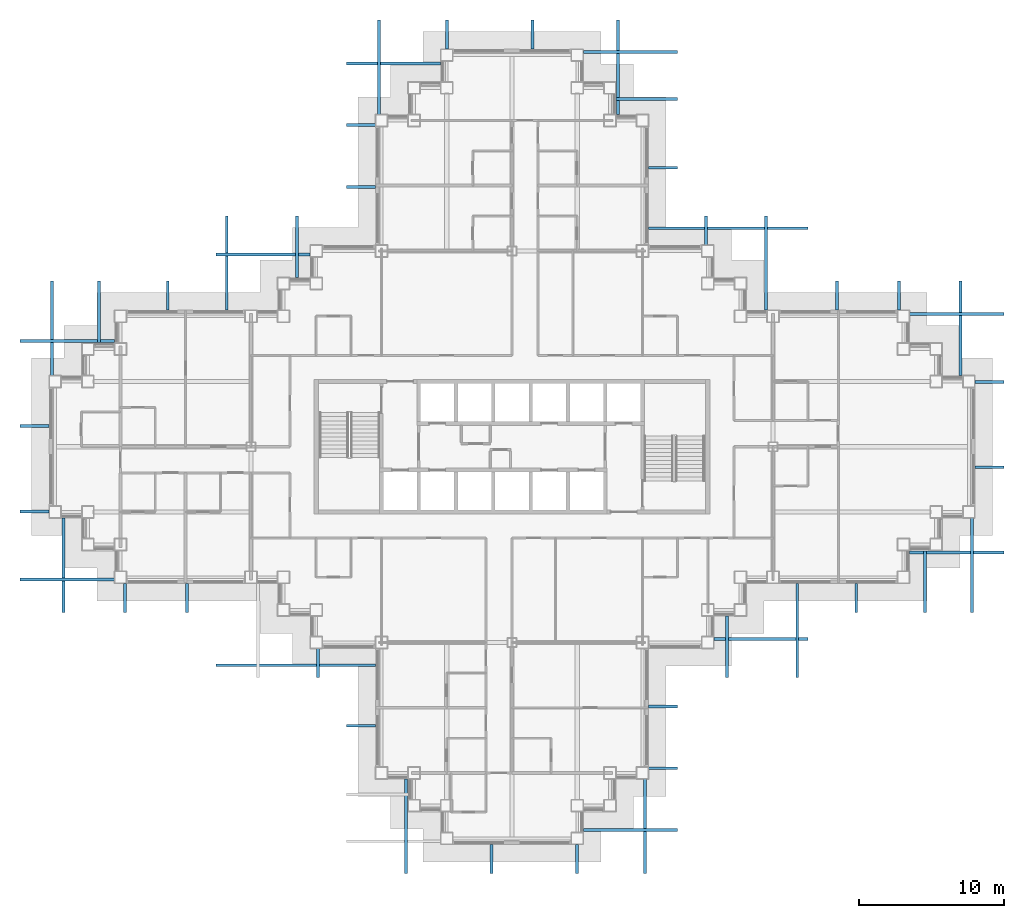
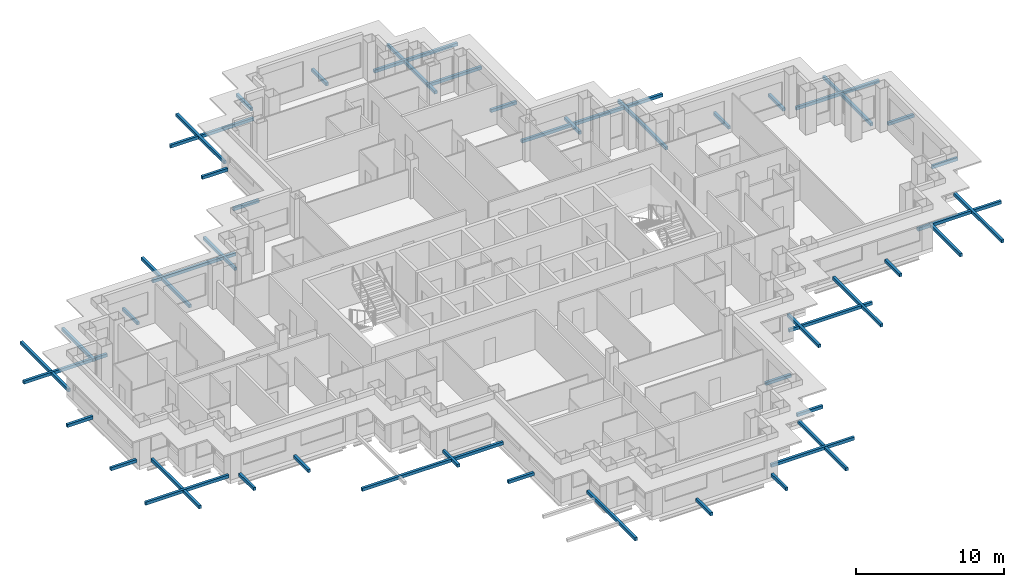
# One storey, part 12 of 17: 49 discrete accessories.
"""IFC4 building model written with IfcOpenShell, lengths in metres."""

import ifcopenshell
import ifcopenshell.guid

model = None  # the IFC model being written
_history = None  # IfcOwnerHistory: only IFC2X3 demands one
_inside = {}  # id of a spatial element -> (the spatial element, [elements in it])
_under = {}  # id of a project, library or spatial element -> (it, [spatial elements below it])
_declared = {}  # id of a project -> (the project, [libraries it declares])
_typed = {}  # id of a type object -> (the type object, [elements of that type])
_made_of = {}  # id of a material, layer set ... -> (it, [elements and type objects made of it])


def new_model(schema):
    """Start an empty IFC model of exactly this schema.

    Asked for "IFC4X3", IfcOpenShell would pick the latest addendum, in which some entities
    have other attributes; the version numbers below select the first issue.
    IFC2X3 requires an IfcOwnerHistory on every rooted entity: one is made here for all.
    """
    global model, _history
    if schema == "IFC4X3":
        model = ifcopenshell.file(schema_version=(4, 3, 0, 0))
    else:
        model = ifcopenshell.file(schema=schema)
    _inside.clear()
    _under.clear()
    _declared.clear()
    _typed.clear()
    _made_of.clear()
    _history = None
    if model.schema == "IFC2X3":
        org = make("IfcOrganization", Name="unknown")
        user = make(
            "IfcPersonAndOrganization",
            ThePerson=make("IfcPerson", FamilyName="unknown"),
            TheOrganization=org,
        )
        app = make(
            "IfcApplication",
            ApplicationDeveloper=org,
            Version="unknown",
            ApplicationFullName="unknown",
            ApplicationIdentifier="unknown",
        )
        _history = make(
            "IfcOwnerHistory",
            OwningUser=user,
            OwningApplication=app,
            ChangeAction="ADDED",
            CreationDate=0,
        )
    return model


def make(cls, **values):
    """One entity of the class cls with the attributes given. An attribute that is None is left unset."""
    return model.create_entity(
        cls, **{name: value for name, value in values.items() if value is not None}
    )


def rooted(cls, **values):
    """An entity with a GlobalId (a new one), such as an element, a storey or a relation."""
    return make(cls, GlobalId=ifcopenshell.guid.new(), OwnerHistory=_history, **values)


def si_unit(unit_type, name, prefix=None):
    """IfcSIUnit, for example si_unit("LENGTHUNIT", "METRE", prefix="MILLI")."""
    return make("IfcSIUnit", UnitType=unit_type, Prefix=prefix, Name=name)


def assignment(units):
    """IfcUnitAssignment: the units of a project."""
    return None if units is None else make("IfcUnitAssignment", Units=units)


def point(xyz):
    """IfcCartesianPoint."""
    return None if xyz is None else make("IfcCartesianPoint", Coordinates=xyz)


def direction(xyz):
    """IfcDirection."""
    return None if xyz is None else make("IfcDirection", DirectionRatios=xyz)


def frame(location, z_axis=None, x_axis=None):
    """IfcAxis2Placement3D, a coordinate frame: its origin and axes. An axis left out is left unset."""
    return make(
        "IfcAxis2Placement3D",
        Location=point(location),
        Axis=direction(z_axis),
        RefDirection=direction(x_axis),
    )


def frame_2d(location, x_axis=None):
    """IfcAxis2Placement2D, a coordinate frame in the plane: its origin and x axis."""
    return make(
        "IfcAxis2Placement2D", Location=point(location), RefDirection=direction(x_axis)
    )


def origin():
    """The frame at (0, 0, 0) with its axes left unset."""
    return frame((0.0, 0.0, 0.0))


def origin_2d():
    """The frame at (0, 0) in the plane with its x axis left unset."""
    return frame_2d((0.0, 0.0))


def place(relative_to, where):
    """IfcLocalPlacement: puts the frame where relative to a parent placement (None: the world)."""
    return make(
        "IfcLocalPlacement", PlacementRelTo=relative_to, RelativePlacement=where
    )


def context(
    kind, dimensions, precision=None, world=None, true_north=None, identifier=None
):
    """IfcGeometricRepresentationContext, for example the 3D "Model" context."""
    return make(
        "IfcGeometricRepresentationContext",
        ContextIdentifier=identifier,
        ContextType=kind,
        CoordinateSpaceDimension=dimensions,
        Precision=precision,
        WorldCoordinateSystem=world,
        TrueNorth=true_north,
    )


def subcontext(parent, identifier, kind, view, scale=None):
    """IfcGeometricRepresentationSubContext, for example "Body" below "Model"."""
    return make(
        "IfcGeometricRepresentationSubContext",
        ContextIdentifier=identifier,
        ContextType=kind,
        ParentContext=parent,
        TargetScale=scale,
        TargetView=view,
    )


def project(units=None, contexts=None):
    """IfcProject with its units and contexts."""
    return rooted(
        "IfcProject",
        Name="project",
        RepresentationContexts=contexts,
        UnitsInContext=assignment(units),
    )


def spatial(cls, under=None, at=None, **own):
    """A site, building, storey or space (cls), placed at a placement, below another one or the project."""
    s = rooted(cls, ObjectPlacement=at, **own)
    if under is not None:
        _under.setdefault(under.id(), (under, []))[1].append(s)
    return s


def profile(cls, at=None, kind="AREA", **sizes):
    """A parametric profile (cls). Its sizes go by their IFC names, for example OverallWidth=200.0."""
    return make(cls, ProfileType=kind, Position=at, **sizes)


def rectangle(**sizes):
    """IfcRectangleProfileDef."""
    return profile("IfcRectangleProfileDef", **sizes)


def extrude(swept, where, along, depth):
    """IfcExtrudedAreaSolid: the profile swept, set in the frame where, extruded along a direction by depth."""
    return make(
        "IfcExtrudedAreaSolid",
        SweptArea=swept,
        Position=where,
        ExtrudedDirection=direction(along),
        Depth=depth,
    )


def shape(context_of_items, identifier, shape_type, items):
    """IfcShapeRepresentation: the items that make up one representation, for example the "Body"."""
    return make(
        "IfcShapeRepresentation",
        ContextOfItems=context_of_items,
        RepresentationIdentifier=identifier,
        RepresentationType=shape_type,
        Items=items,
    )


def material(Name=None, Category=None):
    """IfcMaterial."""
    return make("IfcMaterial", Name=Name, Category=Category)


def made_of(thing, what):
    """Note that an element or type object is made of a material, layer set ...; save() writes the relation."""
    if what is not None:
        _made_of.setdefault(what.id(), (what, []))[1].append(thing)
    return thing


def type_object(cls, material=None, **own):
    """A type object (cls), such as IfcWallType, which elements share."""
    return made_of(rooted(cls, **own), material)


def element(
    cls,
    number,
    at=None,
    inside=None,
    cuts=None,
    type_object=None,
    material=None,
    context=None,
    identifier="Body",
    shape_type=None,
    held_by="IfcProductDefinitionShape",
    body=None,
    shapes=None,
    **own,
):
    """One element of the class cls, such as IfcWall. Its Tag is "e" and its number.

    at: its placement. inside: the storey or other place that contains it. cuts: it is an
    opening in that element (IfcRelVoidsElement). A single representation is given by context,
    identifier, shape_type and body (its items); several are given by shapes. held_by: the class
    of the entity that holds the representations. save() writes the other relations.
    """
    e = rooted(cls, Tag="e%d" % number, ObjectPlacement=at, **own)
    if body is not None:
        shapes = [shape(context, identifier, shape_type, body)]
    if shapes is not None:
        e.Representation = make(held_by, Representations=shapes)
    if inside is not None:
        _inside.setdefault(inside.id(), (inside, []))[1].append(e)
    if cuts is not None:
        rooted(
            "IfcRelVoidsElement", RelatingBuildingElement=cuts, RelatedOpeningElement=e
        )
    if type_object is not None:
        _typed.setdefault(type_object.id(), (type_object, []))[1].append(e)
    return made_of(e, material)


def aggregate(whole, parts):
    """IfcRelAggregates: a whole, such as a stair, and the parts it consists of."""
    return rooted("IfcRelAggregates", RelatingObject=whole, RelatedObjects=parts)


def save(model, path):
    """Write the relations noted so far, then the file.

    IfcRelAggregates (storeys below a building ...), IfcRelContainedInSpatialStructure (elements
    in a storey), IfcRelDefinesByType, IfcRelAssociatesMaterial and IfcRelDeclares: one each for
    every whole, place, type object, material and project.
    """
    for whole, parts in _under.values():
        aggregate(whole, parts)
    for where, things in _inside.values():
        rooted(
            "IfcRelContainedInSpatialStructure",
            RelatedElements=things,
            RelatingStructure=where,
        )
    for kind, things in _typed.values():
        rooted("IfcRelDefinesByType", RelatedObjects=things, RelatingType=kind)
    for what, things in _made_of.values():
        rooted("IfcRelAssociatesMaterial", RelatedObjects=things, RelatingMaterial=what)
    for by, libraries in _declared.values():
        rooted("IfcRelDeclares", RelatingContext=by, RelatedDefinitions=libraries)
    model.write(path)


model = new_model("IFC4")

# Units and contexts
model_context = context("Model", 3, precision=1e-05, world=origin(), true_north=direction((0.0, 1.0)))
body_context = subcontext(model_context, "Body", "Model", "MODEL_VIEW")
ifc_project = project(units=[si_unit("LENGTHUNIT", "METRE"), si_unit("AREAUNIT", "SQUARE_METRE"), si_unit("VOLUMEUNIT", "CUBIC_METRE"), si_unit("PLANEANGLEUNIT", "RADIAN"), si_unit("MASSUNIT", "GRAM", prefix="KILO")], contexts=[model_context])

# Site, building, storey
site_placement = place(None, origin())
site = spatial("IfcSite", under=ifc_project, at=site_placement, CompositionType="ELEMENT")
building_placement = place(site_placement, origin())
building = spatial("IfcBuilding", under=site, at=building_placement, Name="Caravel Reach Hotel and Residences", CompositionType="ELEMENT")
storey_placement = place(building_placement, frame((0.0, 0.0, 136.800048828125)))
storey = spatial("IfcBuildingStorey", under=building, at=storey_placement, Name="L34", CompositionType="ELEMENT", Elevation=136.800048828125)

# Discrete accessories
ifc_material = material(Name="Black powder-coated aluminium", Category="aluminium")
discrete_accessory_type = type_object("IfcDiscreteAccessoryType", Name="BR1 Screen bracket", PredefinedType="BRACKET", material=ifc_material)
discrete_accessory_1_placement = place(storey_placement, frame((21.074951171875, 7.76171875, 0.099853515625), z_axis=(0.0, 0.0, 1.0), x_axis=(-1.0, 0.0, 0.0)))
element("IfcDiscreteAccessory", 1, at=discrete_accessory_1_placement, inside=storey, type_object=discrete_accessory_type, Name="Screen bracket L34 1.1.2", PredefinedType="BRACKET", context=body_context, shape_type="SweptSolid", body=[
    extrude(rectangle(XDim=2.0, YDim=0.199951171875, at=origin_2d()), origin(), (0.0, 0.0, 1.0), 0.25),
])
discrete_accessory_2_placement = place(storey_placement, frame((24.1962890625, 0.824951171875, 0.099853515625), z_axis=(0.0, 0.0, 1.0), x_axis=(0.0, -1.0, 0.0)))
element("IfcDiscreteAccessory", 2, at=discrete_accessory_2_placement, inside=storey, type_object=discrete_accessory_type, Name="Screen bracket L34 2.1.2", PredefinedType="BRACKET", context=body_context, shape_type="SweptSolid", body=[
    extrude(rectangle(XDim=6.5, YDim=0.199951171875, at=origin_2d()), origin(), (0.0, 0.0, 1.0), 0.25),
])
for number, where, z_axis, x_axis, name in (
    (3, (30.083740234375, -1.425048828125, 0.099853515625), (0.0, 0.0, 1.0), (0.0, -1.0, 0.0), "Screen bracket L34 2.2.2"),
    (4, (35.97119140625, -1.425048828125, 0.099853515625), (0.0, 0.0, 1.0), (0.0, -1.0, 0.0), "Screen bracket L34 2.3.2"),
):
    element("IfcDiscreteAccessory", number, at=place(storey_placement, frame(where, z_axis=z_axis, x_axis=x_axis)), inside=storey, type_object=discrete_accessory_type, Name=name, PredefinedType="BRACKET", context=body_context, shape_type="SweptSolid", body=[
        extrude(rectangle(XDim=2.0, YDim=0.199951171875, at=origin_2d()), origin(), (0.0, 0.0, 1.0), 0.25),
    ])
for number, where, z_axis, x_axis, name in (
    (5, (40.65869140625, 0.824951171875, 0.099853515625), (0.0, 0.0, 1.0), (0.0, -1.0, 0.0), "Screen bracket L34 2.4.2"),
    (6, (39.675048828125, 0.561767578125, 0.099853515625), (0.0, 0.0, 1.0), (1.0, 0.0, 0.0), "Screen bracket L34 3.1.2"),
):
    element("IfcDiscreteAccessory", number, at=place(storey_placement, frame(where, z_axis=z_axis, x_axis=x_axis)), inside=storey, type_object=discrete_accessory_type, Name=name, PredefinedType="BRACKET", context=body_context, shape_type="SweptSolid", body=[
        extrude(rectangle(XDim=6.5, YDim=0.199951171875, at=origin_2d()), origin(), (0.0, 0.0, 1.0), 0.25),
    ])
for number, where, z_axis, x_axis, name in (
    (7, (41.925048828125, 4.828369140625, 0.099853515625), (0.0, 0.0, 1.0), (1.0, 0.0, 0.0), "Screen bracket L34 3.2.2"),
    (8, (41.925048828125, 9.094970703125, 0.099853515625), (0.0, 0.0, 1.0), (1.0, 0.0, 0.0), "Screen bracket L34 3.3.2"),
):
    element("IfcDiscreteAccessory", number, at=place(storey_placement, frame(where, z_axis=z_axis, x_axis=x_axis)), inside=storey, type_object=discrete_accessory_type, Name=name, PredefinedType="BRACKET", context=body_context, shape_type="SweptSolid", body=[
        extrude(rectangle(XDim=2.0, YDim=0.199951171875, at=origin_2d()), origin(), (0.0, 0.0, 1.0), 0.25),
    ])
discrete_accessory_3_placement = place(storey_placement, frame((46.320068359375, 13.199951171875, 0.099853515625), z_axis=(0.0, 0.0, 1.0), x_axis=(0.0, -1.0, 0.0)))
element("IfcDiscreteAccessory", 9, at=discrete_accessory_3_placement, inside=storey, type_object=discrete_accessory_type, Name="Screen bracket L34 4.1.2", PredefinedType="BRACKET", context=body_context, shape_type="SweptSolid", body=[
    extrude(rectangle(XDim=4.25, YDim=0.199951171875, at=origin_2d()), origin(), (0.0, 0.0, 1.0), 0.25),
])
for number, where, z_axis, x_axis, name in (
    (10, (51.169921875, 14.324951171875, 0.099853515625), (0.0, 0.0, 1.0), (0.0, -1.0, 0.0), "Screen bracket L34 4.2.2"),
    (11, (48.675048828125, 13.735107421875, 0.099853515625), (0.0, 0.0, 1.0), (1.0, 0.0, 0.0), "Screen bracket L34 5.1.2"),
):
    element("IfcDiscreteAccessory", number, at=place(storey_placement, frame(where, z_axis=z_axis, x_axis=x_axis)), inside=storey, type_object=discrete_accessory_type, Name=name, PredefinedType="BRACKET", context=body_context, shape_type="SweptSolid", body=[
        extrude(rectangle(XDim=6.5, YDim=0.199951171875, at=origin_2d()), origin(), (0.0, 0.0, 1.0), 0.25),
    ])
discrete_accessory_4_placement = place(storey_placement, frame((55.23828125, 16.574951171875, 0.099853515625), z_axis=(0.0, 0.0, 1.0), x_axis=(0.0, -1.0, 0.0)))
element("IfcDiscreteAccessory", 12, at=discrete_accessory_4_placement, inside=storey, type_object=discrete_accessory_type, Name="Screen bracket L34 6.1.2", PredefinedType="BRACKET", context=body_context, shape_type="SweptSolid", body=[
    extrude(rectangle(XDim=2.0, YDim=0.199951171875, at=origin_2d()), origin(), (0.0, 0.0, 1.0), 0.25),
])
discrete_accessory_5_placement = place(storey_placement, frame((59.9716796875, 17.699951171875, 0.099853515625), z_axis=(0.0, 0.0, 1.0), x_axis=(0.0, -1.0, 0.0)))
element("IfcDiscreteAccessory", 13, at=discrete_accessory_5_placement, inside=storey, type_object=discrete_accessory_type, Name="Screen bracket L34 6.2.2", PredefinedType="BRACKET", context=body_context, shape_type="SweptSolid", body=[
    extrude(rectangle(XDim=4.25, YDim=0.199951171875, at=origin_2d()), origin(), (0.0, 0.0, 1.0), 0.25),
])
for number, where, z_axis, x_axis, name in (
    (14, (63.205078125, 18.824951171875, 0.099853515625), (0.0, 0.0, 1.0), (0.0, -1.0, 0.0), "Screen bracket L34 6.3.2"),
    (15, (62.175048828125, 19.6962890625, 0.099853515625), (0.0, 0.0, 1.0), (1.0, 0.0, 0.0), "Screen bracket L34 7.1.2"),
):
    element("IfcDiscreteAccessory", number, at=place(storey_placement, frame(where, z_axis=z_axis, x_axis=x_axis)), inside=storey, type_object=discrete_accessory_type, Name=name, PredefinedType="BRACKET", context=body_context, shape_type="SweptSolid", body=[
        extrude(rectangle(XDim=6.5, YDim=0.199951171875, at=origin_2d()), origin(), (0.0, 0.0, 1.0), 0.25),
    ])
for number, where, z_axis, x_axis, name in (
    (16, (64.425048828125, 25.583740234375, 0.099853515625), (0.0, 0.0, 1.0), (1.0, 0.0, 0.0), "Screen bracket L34 7.2.2"),
    (17, (64.425048828125, 31.47119140625, 0.099853515625), (0.0, 0.0, 1.0), (1.0, 0.0, 0.0), "Screen bracket L34 7.3.2"),
):
    element("IfcDiscreteAccessory", number, at=place(storey_placement, frame(where, z_axis=z_axis, x_axis=x_axis)), inside=storey, type_object=discrete_accessory_type, Name=name, PredefinedType="BRACKET", context=body_context, shape_type="SweptSolid", body=[
        extrude(rectangle(XDim=2.0, YDim=0.199951171875, at=origin_2d()), origin(), (0.0, 0.0, 1.0), 0.25),
    ])
for number, where, z_axis, x_axis, name in (
    (18, (62.175048828125, 36.15869140625, 0.099853515625), (0.0, 0.0, 1.0), (1.0, 0.0, 0.0), "Screen bracket L34 7.4.2"),
    (19, (62.438232421875, 35.175048828125, 0.099853515625), (0.0, 0.0, 1.0), (0.0, 1.0, 0.0), "Screen bracket L34 8.1.2"),
):
    element("IfcDiscreteAccessory", number, at=place(storey_placement, frame(where, z_axis=z_axis, x_axis=x_axis)), inside=storey, type_object=discrete_accessory_type, Name=name, PredefinedType="BRACKET", context=body_context, shape_type="SweptSolid", body=[
        extrude(rectangle(XDim=6.5, YDim=0.199951171875, at=origin_2d()), origin(), (0.0, 0.0, 1.0), 0.25),
    ])
for number, where, z_axis, x_axis, name in (
    (20, (58.171630859375, 37.425048828125, 0.099853515625), (0.0, 0.0, 1.0), (0.0, 1.0, 0.0), "Screen bracket L34 8.2.2"),
    (21, (53.905029296875, 37.425048828125, 0.099853515625), (0.0, 0.0, 1.0), (0.0, 1.0, 0.0), "Screen bracket L34 8.3.2"),
):
    element("IfcDiscreteAccessory", number, at=place(storey_placement, frame(where, z_axis=z_axis, x_axis=x_axis)), inside=storey, type_object=discrete_accessory_type, Name=name, PredefinedType="BRACKET", context=body_context, shape_type="SweptSolid", body=[
        extrude(rectangle(XDim=2.0, YDim=0.199951171875, at=origin_2d()), origin(), (0.0, 0.0, 1.0), 0.25),
    ])
discrete_accessory_6_placement = place(storey_placement, frame((46.425048828125, 42.06494140625, 0.099853515625), z_axis=(0.0, 0.0, 1.0), x_axis=(1.0, 0.0, 0.0)))
element("IfcDiscreteAccessory", 22, at=discrete_accessory_6_placement, inside=storey, type_object=discrete_accessory_type, Name="Screen bracket L34 9.1.2", PredefinedType="BRACKET", context=body_context, shape_type="SweptSolid", body=[
    extrude(rectangle(XDim=11.0, YDim=0.199951171875, at=origin_2d()), origin(), (0.0, 0.0, 1.0), 0.25),
])
discrete_accessory_7_placement = place(storey_placement, frame((49.02001953125, 39.675048828125, 0.099853515625), z_axis=(0.0, 0.0, 1.0), x_axis=(0.0, 1.0, 0.0)))
element("IfcDiscreteAccessory", 23, at=discrete_accessory_7_placement, inside=storey, type_object=discrete_accessory_type, Name="Screen bracket L34 10.1.2", PredefinedType="BRACKET", context=body_context, shape_type="SweptSolid", body=[
    extrude(rectangle(XDim=6.5, YDim=0.199951171875, at=origin_2d()), origin(), (0.0, 0.0, 1.0), 0.25),
])
for number, where, z_axis, x_axis, name in (
    (24, (44.8701171875, 41.925048828125, 0.099853515625), (0.0, 0.0, 1.0), (0.0, 1.0, 0.0), "Screen bracket L34 10.2.2"),
    (25, (41.925048828125, 46.23828125, 0.099853515625), (0.0, 0.0, 1.0), (1.0, 0.0, 0.0), "Screen bracket L34 11.1.2"),
):
    element("IfcDiscreteAccessory", number, at=place(storey_placement, frame(where, z_axis=z_axis, x_axis=x_axis)), inside=storey, type_object=discrete_accessory_type, Name=name, PredefinedType="BRACKET", context=body_context, shape_type="SweptSolid", body=[
        extrude(rectangle(XDim=2.0, YDim=0.199951171875, at=origin_2d()), origin(), (0.0, 0.0, 1.0), 0.25),
    ])
discrete_accessory_8_placement = place(storey_placement, frame((40.800048828125, 50.9716796875, 0.099853515625), z_axis=(0.0, 0.0, 1.0), x_axis=(1.0, 0.0, 0.0)))
element("IfcDiscreteAccessory", 26, at=discrete_accessory_8_placement, inside=storey, type_object=discrete_accessory_type, Name="Screen bracket L34 11.2.2", PredefinedType="BRACKET", context=body_context, shape_type="SweptSolid", body=[
    extrude(rectangle(XDim=4.25, YDim=0.199951171875, at=origin_2d()), origin(), (0.0, 0.0, 1.0), 0.25),
])
for number, where, z_axis, x_axis, name in (
    (27, (39.675048828125, 54.205078125, 0.099853515625), (0.0, 0.0, 1.0), (1.0, 0.0, 0.0), "Screen bracket L34 11.3.2"),
    (28, (38.8037109375, 53.175048828125, 0.099853515625), (0.0, 0.0, 1.0), (0.0, 1.0, 0.0), "Screen bracket L34 12.1.2"),
):
    element("IfcDiscreteAccessory", number, at=place(storey_placement, frame(where, z_axis=z_axis, x_axis=x_axis)), inside=storey, type_object=discrete_accessory_type, Name=name, PredefinedType="BRACKET", context=body_context, shape_type="SweptSolid", body=[
        extrude(rectangle(XDim=6.5, YDim=0.199951171875, at=origin_2d()), origin(), (0.0, 0.0, 1.0), 0.25),
    ])
for number, where, z_axis, x_axis, name in (
    (29, (32.916259765625, 55.425048828125, 0.099853515625), (0.0, 0.0, 1.0), (0.0, 1.0, 0.0), "Screen bracket L34 12.2.2"),
    (30, (27.02880859375, 55.425048828125, 0.099853515625), (0.0, 0.0, 1.0), (0.0, 1.0, 0.0), "Screen bracket L34 12.3.2"),
):
    element("IfcDiscreteAccessory", number, at=place(storey_placement, frame(where, z_axis=z_axis, x_axis=x_axis)), inside=storey, type_object=discrete_accessory_type, Name=name, PredefinedType="BRACKET", context=body_context, shape_type="SweptSolid", body=[
        extrude(rectangle(XDim=2.0, YDim=0.199951171875, at=origin_2d()), origin(), (0.0, 0.0, 1.0), 0.25),
    ])
for number, where, z_axis, x_axis, name in (
    (31, (22.34130859375, 53.175048828125, 0.099853515625), (0.0, 0.0, 1.0), (0.0, 1.0, 0.0), "Screen bracket L34 12.4.2"),
    (32, (23.324951171875, 53.438232421875, 0.099853515625), (0.0, 0.0, 1.0), (-1.0, 0.0, 0.0), "Screen bracket L34 13.1.2"),
):
    element("IfcDiscreteAccessory", number, at=place(storey_placement, frame(where, z_axis=z_axis, x_axis=x_axis)), inside=storey, type_object=discrete_accessory_type, Name=name, PredefinedType="BRACKET", context=body_context, shape_type="SweptSolid", body=[
        extrude(rectangle(XDim=6.5, YDim=0.199951171875, at=origin_2d()), origin(), (0.0, 0.0, 1.0), 0.25),
    ])
for number, where, z_axis, x_axis, name in (
    (33, (21.074951171875, 49.171630859375, 0.099853515625), (0.0, 0.0, 1.0), (-1.0, 0.0, 0.0), "Screen bracket L34 13.2.2"),
    (34, (21.074951171875, 44.905029296875, 0.099853515625), (0.0, 0.0, 1.0), (-1.0, 0.0, 0.0), "Screen bracket L34 13.3.2"),
):
    element("IfcDiscreteAccessory", number, at=place(storey_placement, frame(where, z_axis=z_axis, x_axis=x_axis)), inside=storey, type_object=discrete_accessory_type, Name=name, PredefinedType="BRACKET", context=body_context, shape_type="SweptSolid", body=[
        extrude(rectangle(XDim=2.0, YDim=0.199951171875, at=origin_2d()), origin(), (0.0, 0.0, 1.0), 0.25),
    ])
discrete_accessory_9_placement = place(storey_placement, frame((16.679931640625, 40.800048828125, 0.099853515625), z_axis=(0.0, 0.0, 1.0), x_axis=(0.0, 1.0, 0.0)))
element("IfcDiscreteAccessory", 35, at=discrete_accessory_9_placement, inside=storey, type_object=discrete_accessory_type, Name="Screen bracket L34 14.1.2", PredefinedType="BRACKET", context=body_context, shape_type="SweptSolid", body=[
    extrude(rectangle(XDim=4.25, YDim=0.199951171875, at=origin_2d()), origin(), (0.0, 0.0, 1.0), 0.25),
])
for number, where, z_axis, x_axis, name in (
    (36, (11.830078125, 39.675048828125, 0.099853515625), (0.0, 0.0, 1.0), (0.0, 1.0, 0.0), "Screen bracket L34 14.2.2"),
    (37, (14.324951171875, 40.264892578125, 0.099853515625), (0.0, 0.0, 1.0), (-1.0, 0.0, 0.0), "Screen bracket L34 15.1.2"),
):
    element("IfcDiscreteAccessory", number, at=place(storey_placement, frame(where, z_axis=z_axis, x_axis=x_axis)), inside=storey, type_object=discrete_accessory_type, Name=name, PredefinedType="BRACKET", context=body_context, shape_type="SweptSolid", body=[
        extrude(rectangle(XDim=6.5, YDim=0.199951171875, at=origin_2d()), origin(), (0.0, 0.0, 1.0), 0.25),
    ])
discrete_accessory_10_placement = place(storey_placement, frame((7.76171875, 37.425048828125, 0.099853515625), z_axis=(0.0, 0.0, 1.0), x_axis=(0.0, 1.0, 0.0)))
element("IfcDiscreteAccessory", 38, at=discrete_accessory_10_placement, inside=storey, type_object=discrete_accessory_type, Name="Screen bracket L34 16.1.2", PredefinedType="BRACKET", context=body_context, shape_type="SweptSolid", body=[
    extrude(rectangle(XDim=2.0, YDim=0.199951171875, at=origin_2d()), origin(), (0.0, 0.0, 1.0), 0.25),
])
discrete_accessory_11_placement = place(storey_placement, frame((3.0283203125, 36.300048828125, 0.099853515625), z_axis=(0.0, 0.0, 1.0), x_axis=(0.0, 1.0, 0.0)))
element("IfcDiscreteAccessory", 39, at=discrete_accessory_11_placement, inside=storey, type_object=discrete_accessory_type, Name="Screen bracket L34 16.2.2", PredefinedType="BRACKET", context=body_context, shape_type="SweptSolid", body=[
    extrude(rectangle(XDim=4.25, YDim=0.199951171875, at=origin_2d()), origin(), (0.0, 0.0, 1.0), 0.25),
])
for number, where, z_axis, x_axis, name in (
    (40, (-0.205078125, 35.175048828125, 0.099853515625), (0.0, 0.0, 1.0), (0.0, 1.0, 0.0), "Screen bracket L34 16.3.2"),
    (41, (0.824951171875, 34.3037109375, 0.099853515625), (0.0, 0.0, 1.0), (-1.0, 0.0, 0.0), "Screen bracket L34 17.1.2"),
):
    element("IfcDiscreteAccessory", number, at=place(storey_placement, frame(where, z_axis=z_axis, x_axis=x_axis)), inside=storey, type_object=discrete_accessory_type, Name=name, PredefinedType="BRACKET", context=body_context, shape_type="SweptSolid", body=[
        extrude(rectangle(XDim=6.5, YDim=0.199951171875, at=origin_2d()), origin(), (0.0, 0.0, 1.0), 0.25),
    ])
for number, where, z_axis, x_axis, name in (
    (42, (-1.425048828125, 28.416259765625, 0.099853515625), (0.0, 0.0, 1.0), (-1.0, 0.0, 0.0), "Screen bracket L34 17.2.2"),
    (43, (-1.425048828125, 22.52880859375, 0.099853515625), (0.0, 0.0, 1.0), (-1.0, 0.0, 0.0), "Screen bracket L34 17.3.2"),
):
    element("IfcDiscreteAccessory", number, at=place(storey_placement, frame(where, z_axis=z_axis, x_axis=x_axis)), inside=storey, type_object=discrete_accessory_type, Name=name, PredefinedType="BRACKET", context=body_context, shape_type="SweptSolid", body=[
        extrude(rectangle(XDim=2.0, YDim=0.199951171875, at=origin_2d()), origin(), (0.0, 0.0, 1.0), 0.25),
    ])
for number, where, z_axis, x_axis, name in (
    (44, (0.824951171875, 17.84130859375, 0.099853515625), (0.0, 0.0, 1.0), (-1.0, 0.0, 0.0), "Screen bracket L34 17.4.2"),
    (45, (0.561767578125, 18.824951171875, 0.099853515625), (0.0, 0.0, 1.0), (0.0, -1.0, 0.0), "Screen bracket L34 18.1.2"),
):
    element("IfcDiscreteAccessory", number, at=place(storey_placement, frame(where, z_axis=z_axis, x_axis=x_axis)), inside=storey, type_object=discrete_accessory_type, Name=name, PredefinedType="BRACKET", context=body_context, shape_type="SweptSolid", body=[
        extrude(rectangle(XDim=6.5, YDim=0.199951171875, at=origin_2d()), origin(), (0.0, 0.0, 1.0), 0.25),
    ])
for number, where, z_axis, x_axis, name in (
    (46, (4.828369140625, 16.574951171875, 0.099853515625), (0.0, 0.0, 1.0), (0.0, -1.0, 0.0), "Screen bracket L34 18.2.2"),
    (47, (9.094970703125, 16.574951171875, 0.099853515625), (0.0, 0.0, 1.0), (0.0, -1.0, 0.0), "Screen bracket L34 18.3.2"),
):
    element("IfcDiscreteAccessory", number, at=place(storey_placement, frame(where, z_axis=z_axis, x_axis=x_axis)), inside=storey, type_object=discrete_accessory_type, Name=name, PredefinedType="BRACKET", context=body_context, shape_type="SweptSolid", body=[
        extrude(rectangle(XDim=2.0, YDim=0.199951171875, at=origin_2d()), origin(), (0.0, 0.0, 1.0), 0.25),
    ])
discrete_accessory_12_placement = place(storey_placement, frame((16.574951171875, 11.93505859375, 0.099853515625), z_axis=(0.0, 0.0, 1.0), x_axis=(-1.0, 0.0, 0.0)))
element("IfcDiscreteAccessory", 48, at=discrete_accessory_12_placement, inside=storey, type_object=discrete_accessory_type, Name="Screen bracket L34 19.1.2", PredefinedType="BRACKET", context=body_context, shape_type="SweptSolid", body=[
    extrude(rectangle(XDim=11.0, YDim=0.199951171875, at=origin_2d()), origin(), (0.0, 0.0, 1.0), 0.25),
])
discrete_accessory_13_placement = place(storey_placement, frame((18.1298828125, 12.074951171875, 0.099853515625), z_axis=(0.0, 0.0, 1.0), x_axis=(0.0, -1.0, 0.0)))
element("IfcDiscreteAccessory", 49, at=discrete_accessory_13_placement, inside=storey, type_object=discrete_accessory_type, Name="Screen bracket L34 20.2.2", PredefinedType="BRACKET", context=body_context, shape_type="SweptSolid", body=[
    extrude(rectangle(XDim=2.0, YDim=0.199951171875, at=origin_2d()), origin(), (0.0, 0.0, 1.0), 0.25),
])

save(model, "model.ifc")
